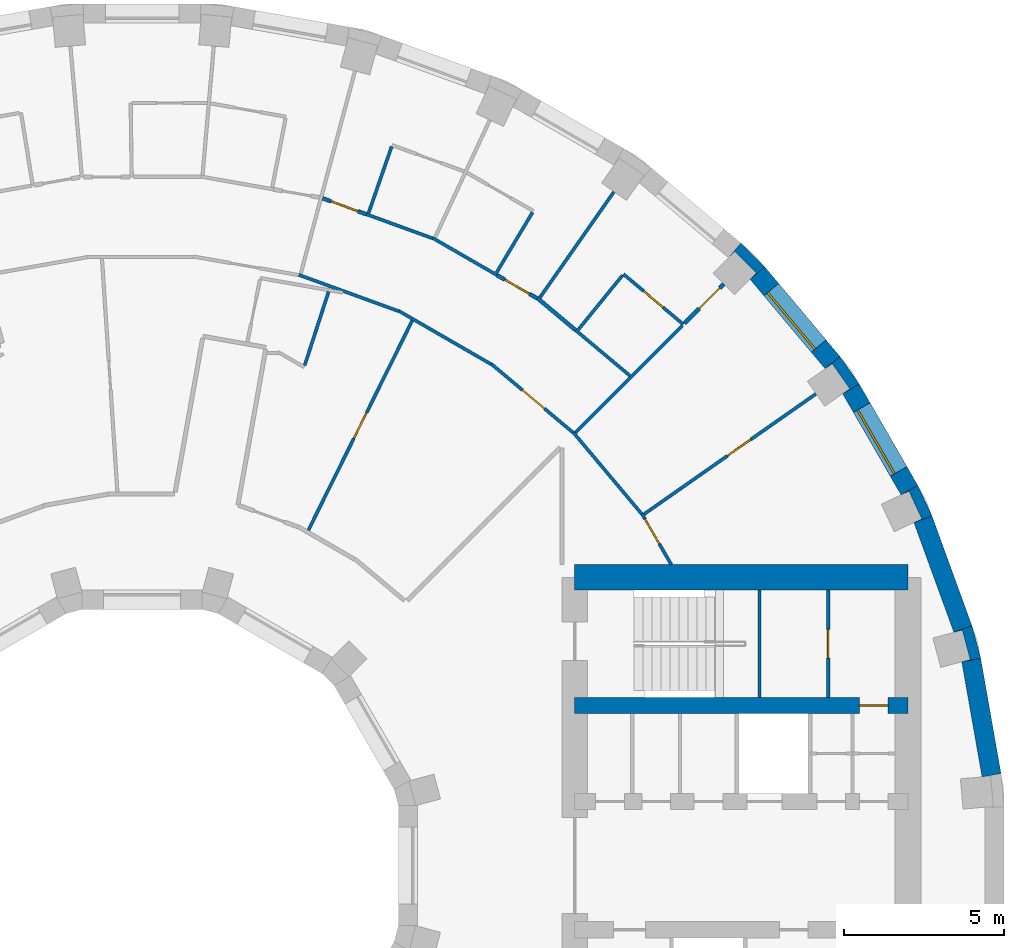
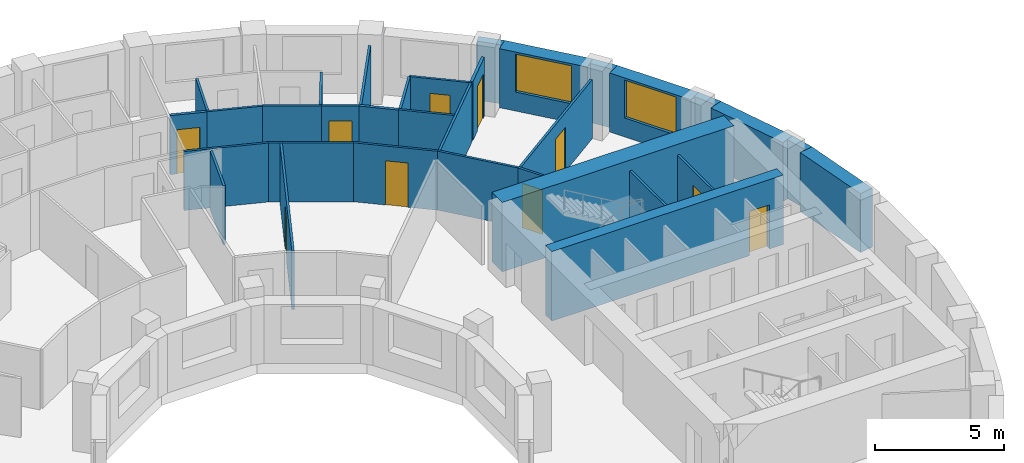
# One storey, part 14 of 16: 33 walls, 10 doors, 2 windows, 12 openings.
"""IFC4 building model written with IfcOpenShell, lengths in metres."""

from ifc_helpers import new_model, si_unit, direction, frame, frame_2d, origin, place, context, subcontext, project, spatial, polyline, rectangle, outline, extrude, material, layer, layer_set, type_object, element, fill, save


model = new_model("IFC4")

# Units and contexts
model_context = context("Model", 3, precision=1e-05, world=origin(), true_north=direction((0.0, 1.0)))
body_context = subcontext(model_context, "Body", "Model", "MODEL_VIEW")
ifc_project = project(units=[si_unit("LENGTHUNIT", "METRE"), si_unit("AREAUNIT", "SQUARE_METRE"), si_unit("VOLUMEUNIT", "CUBIC_METRE"), si_unit("PLANEANGLEUNIT", "RADIAN"), si_unit("MASSUNIT", "GRAM", prefix="KILO")], contexts=[model_context])

# Site, building, storey
site_placement = place(None, origin())
site = spatial("IfcSite", under=ifc_project, at=site_placement, CompositionType="ELEMENT")
building_placement = place(site_placement, origin())
building = spatial("IfcBuilding", under=site, at=building_placement, Name="Saqina Gate Tower", CompositionType="ELEMENT")
storey_placement = place(building_placement, frame((0.0, 0.0, 144.699951171875)))
storey = spatial("IfcBuildingStorey", under=building, at=storey_placement, Name="L41", CompositionType="ELEMENT", Elevation=144.699951171875)

# Walls
ifc_material_1 = material(Name="Brick masonry (buff)", Category="masonry")
wall_type_1 = type_object("IfcWallType", Name="BRICK PIER COPING BUFF", PredefinedType="SOLIDWALL", material=ifc_material_1)
wall_1_placement = place(storey_placement, origin())
element("IfcWall", 1, at=wall_1_placement, inside=storey, type_object=wall_type_1, Name="Pier cap L41 column 2", PredefinedType="SOLIDWALL", context=body_context, shape_type="SweptSolid", body=[
    extrude(outline(polyline([(26.171875, 6.466796875), (25.89892578125, 7.485595703125), (25.335205078125, 7.2802734375), (25.5947265625, 7.349853515625), (25.8408203125, 6.43212890625), (25.5810546875, 6.36279296875), (26.171875, 6.466796875)])), origin(), (0.0, 0.0, 1.0), 2.800048828125),
])
wall_2_placement = place(storey_placement, origin())
element("IfcWall", 2, at=wall_2_placement, inside=storey, type_object=wall_type_1, Name="Pier cap L41 column 3", PredefinedType="SOLIDWALL", context=body_context, shape_type="SweptSolid", body=[
    extrude(outline(polyline([(24.6513671875, 10.913330078125), (24.205810546875, 11.869140625), (23.68603515625, 11.569091796875), (23.9296875, 11.6826171875), (24.331298828125, 10.82177734375), (24.08740234375, 10.7080078125), (24.6513671875, 10.913330078125)])), origin(), (0.0, 0.0, 1.0), 2.800048828125),
])
wall_3_placement = place(storey_placement, origin())
element("IfcWall", 3, at=wall_3_placement, inside=storey, type_object=wall_type_1, Name="Pier cap L41 column 4", PredefinedType="SOLIDWALL", context=body_context, shape_type="SweptSolid", body=[
    extrude(outline(polyline([(21.77685546875, 15.89208984375), (21.317138671875, 15.50634765625), (21.53759765625, 15.66064453125), (22.08251953125, 14.88232421875), (21.862060546875, 14.728271484375), (22.3818359375, 15.0283203125), (21.77685546875, 15.89208984375)])), origin(), (0.0, 0.0, 1.0), 2.800048828125),
])
wall_4_placement = place(storey_placement, origin())
element("IfcWall", 4, at=wall_4_placement, inside=storey, type_object=wall_type_1, Name="Pier cap L41 column 5", PredefinedType="SOLIDWALL", context=body_context, shape_type="SweptSolid", body=[
    extrude(outline(polyline([(19.43212890625, 18.686279296875), (18.686279296875, 19.43212890625), (18.30078125, 18.972412109375), (18.49072265625, 19.16259765625), (19.16259765625, 18.49072265625), (18.972412109375, 18.30078125), (19.43212890625, 18.686279296875)])), origin(), (0.0, 0.0, 1.0), 2.800048828125),
])

# Wall, opening, door
ifc_material_2 = material(Name="Gypsum board on steel studs", Category="steel")
ifc_layer_1 = layer(ifc_material_2, 0.10009765625)
ifc_layer_set_1 = layer_set([ifc_layer_1], Name="CORE PARTITION")
wall_type_2 = type_object("IfcWallType", Name="CORE PARTITION", PredefinedType="PARTITIONING", material=ifc_layer_set_1)
wall_5_placement = place(storey_placement, frame((21.409912109375, 5.25, 0.0), z_axis=(0.0, 0.0, 1.0), x_axis=(0.0, 1.0, 0.0)))
wall_5 = element("IfcWall", 5, at=wall_5_placement, inside=storey, type_object=wall_type_2, Name="L41-CP-E14", PredefinedType="PARTITIONING", context=body_context, shape_type="SweptSolid", body=[
    extrude(rectangle(XDim=3.35009765625, YDim=0.10009765625, at=frame_2d((1.675048828125, 0.0))), origin(), (0.0, 0.0, 1.0), 2.800048828125),
])
opening_1_placement = place(wall_5_placement, frame((1.22509765625, 0.0, 0.0)))
opening_1 = element("IfcOpeningElement", 6, at=opening_1_placement, cuts=wall_5, Name="Opening G12-D100", PredefinedType="OPENING", context=body_context, shape_type="SweptSolid", body=[
    extrude(rectangle(XDim=0.89990234375, YDim=2.10009765625, at=frame_2d((0.449951171875, 1.050048828125))), frame((0.0, 0.06201171875, 0.0), z_axis=(0.0, -1.0, 0.0), x_axis=(1.0, 0.0, 0.0)), (0.0, 0.0, 1.0), 0.1240234375),
])
ifc_material_3 = material(Name="Steel-framed fire door leaf, EI 60", Category="steel")
door_type_1 = type_object("IfcDoorType", Name="SERVICE ROOM DOOR 900", OperationType="SINGLE_SWING_LEFT", PredefinedType="DOOR", material=ifc_material_3)
door_1_placement = place(opening_1_placement, origin())
door_1 = element("IfcDoor", 7, at=door_1_placement, inside=storey, type_object=door_type_1, Name="L41-CD-E11", OperationType="SINGLE_SWING_RIGHT", OverallHeight=2.10009765625, OverallWidth=0.89990234375, PredefinedType="DOOR", context=body_context, shape_type="SweptSolid", body=[
    extrude(rectangle(XDim=0.89990234375, YDim=2.10009765625, at=frame_2d((0.449951171875, 1.050048828125))), frame((0.0, 0.02490234375, 0.0), z_axis=(0.0, -1.0, 0.0), x_axis=(1.0, 0.0, 0.0)), (0.0, 0.0, 1.0), 0.050048828125),
])
fill(opening_1, door_1)

# Wall, opening, window
ifc_material_4 = material(Name="Brick masonry (buff)", Category="masonry")
ifc_layer_2 = layer(ifc_material_4, 0.60009765625)
ifc_layer_set_2 = layer_set([ifc_layer_2], Name="FW-BRICK-BUFF")
wall_type_3 = type_object("IfcWallType", Name="FW-BRICK-BUFF", PredefinedType="SOLIDWALL", material=ifc_layer_set_2)
wall_6_placement = place(storey_placement, frame((23.94580078125, 11.718994140625, 0.0), z_axis=(0.0, 0.0, 1.0), x_axis=(-0.499954196102, 0.866051847062, 0.0)))
wall_6 = element("IfcWall", 8, at=wall_6_placement, inside=storey, type_object=wall_type_3, Name="Facade wall L41 facet 3", PredefinedType="SOLIDWALL", context=body_context, shape_type="SweptSolid", body=[
    extrude(rectangle(XDim=3.647705078125, YDim=0.60009765625, at=frame_2d((1.82373046875, 0.0))), origin(), (0.0, 0.0, 1.0), 2.800048828125),
])
opening_2_placement = place(wall_6_placement, frame((0.673828125, 0.0, 0.89990234375)))
opening_2 = element("IfcOpeningElement", 9, at=opening_2_placement, cuts=wall_6, Name="Opening G12-W01", PredefinedType="OPENING", context=body_context, shape_type="SweptSolid", body=[
    extrude(rectangle(XDim=2.300048828125, YDim=1.800048828125, at=frame_2d((1.14990234375, 0.89990234375))), frame((0.0, 0.31201171875, 0.0), z_axis=(0.0, -1.0, 0.0), x_axis=(1.0, 0.0, 0.0)), (0.0, 0.0, 1.0), 0.6240234375),
])
ifc_material_5 = material(Name="Aluminium glazing", Category="aluminium")
window_type = type_object("IfcWindowType", Name="WN-B", PartitioningType="SINGLE_PANEL", PredefinedType="WINDOW", material=ifc_material_5)
window_1_placement = place(opening_2_placement, origin())
window_1 = element("IfcWindow", 10, at=window_1_placement, inside=storey, type_object=window_type, Name="Window L41 facet 3", OverallHeight=1.800048828125, OverallWidth=2.300048828125, PartitioningType="SINGLE_PANEL", PredefinedType="WINDOW", context=body_context, shape_type="SweptSolid", body=[
    extrude(rectangle(XDim=2.300048828125, YDim=1.800048828125, at=frame_2d((1.14990234375, 0.89990234375))), frame((0.0, 0.179931640625, 0.0), z_axis=(0.0, -1.0, 0.0), x_axis=(1.0, 0.0, 0.0)), (0.0, 0.0, 1.0), 0.06005859375),
])
fill(opening_2, window_1)

wall_7_placement = place(storey_placement, frame((21.547119140625, 15.69921875, 0.0), z_axis=(0.0, 0.0, 1.0), x_axis=(-0.642774476932, 0.766055462616, 0.0)))
wall_7 = element("IfcWall", 11, at=wall_7_placement, inside=storey, type_object=wall_type_3, Name="Facade wall L41 facet 4", PredefinedType="SOLIDWALL", context=body_context, shape_type="SweptSolid", body=[
    extrude(rectangle(XDim=3.647705078125, YDim=0.60009765625, at=frame_2d((1.82373046875, 0.0))), origin(), (0.0, 0.0, 1.0), 2.800048828125),
])
opening_3_placement = place(wall_7_placement, frame((0.673828125, 0.0, 0.89990234375)))
opening_3 = element("IfcOpeningElement", 12, at=opening_3_placement, cuts=wall_7, Name="Opening G12-W02", PredefinedType="OPENING", context=body_context, shape_type="SweptSolid", body=[
    extrude(rectangle(XDim=2.300048828125, YDim=1.800048828125, at=frame_2d((1.14990234375, 0.89990234375))), frame((0.0, 0.31201171875, 0.0), z_axis=(0.0, -1.0, 0.0), x_axis=(1.0, 0.0, 0.0)), (0.0, 0.0, 1.0), 0.6240234375),
])
window_2_placement = place(opening_3_placement, origin())
window_2 = element("IfcWindow", 13, at=window_2_placement, inside=storey, type_object=window_type, Name="Window L41 facet 4", OverallHeight=1.800048828125, OverallWidth=2.300048828125, PartitioningType="SINGLE_PANEL", PredefinedType="WINDOW", context=body_context, shape_type="SweptSolid", body=[
    extrude(rectangle(XDim=2.300048828125, YDim=1.800048828125, at=frame_2d((1.14990234375, 0.89990234375))), frame((0.0, 0.179931640625, 0.0), z_axis=(0.0, -1.0, 0.0), x_axis=(1.0, 0.0, 0.0)), (0.0, 0.0, 1.0), 0.06005859375),
])
fill(opening_3, window_2)

# Walls
ifc_material_6 = material(Name="Glazed ceramic tile", Category="ceramic")
ifc_layer_3 = layer(ifc_material_6, 0.60009765625)
ifc_layer_set_3 = layer_set([ifc_layer_3], Name="FW-TILE")
wall_type_4 = type_object("IfcWallType", Name="FW-TILE", PredefinedType="SOLIDWALL", material=ifc_layer_set_3)
wall_8_placement = place(storey_placement, frame((25.616943359375, 7.3828125, 0.0), z_axis=(0.0, 0.0, 1.0), x_axis=(-0.341990236633, 0.939703505393, 0.0)))
element("IfcWall", 14, at=wall_8_placement, inside=storey, type_object=wall_type_4, Name="Facade wall L41 facet 2", PredefinedType="SOLIDWALL", context=body_context, shape_type="SweptSolid", body=[
    extrude(rectangle(XDim=3.64794921875, YDim=0.60009765625, at=frame_2d((1.823974609375, 0.0))), origin(), (0.0, 0.0, 1.0), 2.800048828125),
])
ifc_material_7 = material(Name="Glazed ceramic tile (dark blue)", Category="ceramic")
ifc_layer_4 = layer(ifc_material_7, 0.60009765625)
ifc_layer_set_4 = layer_set([ifc_layer_4], Name="FW-TILE-CB")
wall_type_5 = type_object("IfcWallType", Name="FW-TILE-CB", PredefinedType="SOLIDWALL", material=ifc_layer_set_4)
wall_9_placement = place(storey_placement, frame((26.510009765625, 2.822265625, 0.0), z_axis=(0.0, 0.0, 1.0), x_axis=(-0.173670796382, 0.984803764455, 0.0)))
element("IfcWall", 15, at=wall_9_placement, inside=storey, type_object=wall_type_5, Name="Facade wall L41 facet 1", PredefinedType="SOLIDWALL", context=body_context, shape_type="SweptSolid", body=[
    extrude(rectangle(XDim=3.64794921875, YDim=0.60009765625, at=frame_2d((1.823974609375, 0.0))), origin(), (0.0, 0.0, 1.0), 2.800048828125),
])

# Wall, opening, door
ifc_material_8 = material(Name="Gypsum board on steel studs, 100 mm", Category="steel")
ifc_layer_5 = layer(ifc_material_8, 0.10009765625)
ifc_layer_set_5 = layer_set([ifc_layer_5], Name="PARTITION 100")
wall_type_6 = type_object("IfcWallType", Name="PARTITION 100", PredefinedType="PARTITIONING", material=ifc_layer_set_5)
wall_10_placement = place(storey_placement, frame((15.5966796875, 10.98291015625, 0.0), z_axis=(0.0, 0.0, 1.0), x_axis=(0.500084239528, -0.865976762607, 0.0)))
wall_10 = element("IfcWall", 16, at=wall_10_placement, inside=storey, type_object=wall_type_6, Name="PARTITION PW3-12", PredefinedType="PARTITIONING", context=body_context, shape_type="SweptSolid", body=[
    extrude(rectangle(XDim=1.830322265625, YDim=0.10009765625, at=frame_2d((0.9150390625, 0.0))), origin(), (0.0, 0.0, 1.0), 2.800048828125),
])
opening_4_placement = place(wall_10_placement, frame((0.1904296875, 0.0, 0.0)))
opening_4 = element("IfcOpeningElement", 17, at=opening_4_placement, cuts=wall_10, Name="Opening G12-D01", PredefinedType="OPENING", context=body_context, shape_type="SweptSolid", body=[
    extrude(rectangle(XDim=0.89990234375, YDim=2.10009765625, at=frame_2d((0.449951171875, 1.050048828125))), frame((0.0, 0.06201171875, 0.0), z_axis=(0.0, -1.0, 0.0), x_axis=(1.0, 0.0, 0.0)), (0.0, 0.0, 1.0), 0.1240234375),
])
ifc_material_9 = material(Name="Timber door leaf, 900 mm", Category="wood")
door_type_2 = type_object("IfcDoorType", Name="DOOR 900 TIMBER", OperationType="SINGLE_SWING_LEFT", PredefinedType="DOOR", material=ifc_material_9)
door_2_placement = place(opening_4_placement, frame((0.89990234375, 0.0, 0.0), z_axis=(0.0, 0.0, 1.0), x_axis=(-1.0, 0.0, 0.0)))
door_2 = element("IfcDoor", 18, at=door_2_placement, inside=storey, type_object=door_type_2, Name="DOOR G12-D01", OperationType="SINGLE_SWING_LEFT", OverallHeight=2.10009765625, OverallWidth=0.89990234375, PredefinedType="DOOR", context=body_context, shape_type="SweptSolid", body=[
    extrude(rectangle(XDim=0.89990234375, YDim=2.10009765625, at=frame_2d((0.449951171875, 1.050048828125))), frame((0.0, 0.02490234375, 0.0), z_axis=(0.0, -1.0, 0.0), x_axis=(1.0, 0.0, 0.0)), (0.0, 0.0, 1.0), 0.050048828125),
])
fill(opening_4, door_2)

# Wall
wall_11_placement = place(storey_placement, frame((13.452392578125, 13.52392578125, 0.0), z_axis=(0.0, 0.0, 1.0), x_axis=(0.642888943472, -0.765959402554, 0.0)))
element("IfcWall", 19, at=wall_11_placement, inside=storey, type_object=wall_type_6, Name="PARTITION PW3-19", PredefinedType="PARTITIONING", context=body_context, shape_type="SweptSolid", body=[
    extrude(rectangle(XDim=3.32470703125, YDim=0.10009765625, at=frame_2d((1.662353515625, 0.0))), origin(), (0.0, 0.0, 1.0), 2.800048828125),
])

# Wall, opening, door
wall_12_placement = place(storey_placement, frame((10.900146484375, 15.654541015625, 0.0), z_axis=(0.0, 0.0, 1.0), x_axis=(0.765959402554, -0.642888943472, 0.0)))
wall_12 = element("IfcWall", 20, at=wall_12_placement, inside=storey, type_object=wall_type_6, Name="PARTITION PW3-29", PredefinedType="PARTITIONING", context=body_context, shape_type="SweptSolid", body=[
    extrude(rectangle(XDim=3.32470703125, YDim=0.10009765625, at=frame_2d((1.662353515625, 0.0))), origin(), (0.0, 0.0, 1.0), 2.800048828125),
])
opening_5_placement = place(wall_12_placement, frame((1.2626953125, 0.0, 0.0)))
opening_5 = element("IfcOpeningElement", 21, at=opening_5_placement, cuts=wall_12, Name="Opening G12-D05", PredefinedType="OPENING", context=body_context, shape_type="SweptSolid", body=[
    extrude(rectangle(XDim=0.89990234375, YDim=2.10009765625, at=frame_2d((0.449951171875, 1.050048828125))), frame((0.0, 0.06201171875, 0.0), z_axis=(0.0, -1.0, 0.0), x_axis=(1.0, 0.0, 0.0)), (0.0, 0.0, 1.0), 0.1240234375),
])
door_3_placement = place(opening_5_placement, frame((0.89990234375, 0.0, 0.0), z_axis=(0.0, 0.0, 1.0), x_axis=(-1.0, 0.0, 0.0)))
door_3 = element("IfcDoor", 22, at=door_3_placement, inside=storey, type_object=door_type_2, Name="DOOR G12-D05", OperationType="SINGLE_SWING_LEFT", OverallHeight=2.10009765625, OverallWidth=0.89990234375, PredefinedType="DOOR", context=body_context, shape_type="SweptSolid", body=[
    extrude(rectangle(XDim=0.89990234375, YDim=2.10009765625, at=frame_2d((0.449951171875, 1.050048828125))), frame((0.0, 0.02490234375, 0.0), z_axis=(0.0, -1.0, 0.0), x_axis=(1.0, 0.0, 0.0)), (0.0, 0.0, 1.0), 0.050048828125),
])
fill(opening_5, door_3)

# Wall
wall_13_placement = place(storey_placement, frame((13.53173828125, 16.708251953125, 0.0), z_axis=(0.0, 0.0, 1.0), x_axis=(0.766038513467, -0.642794676305, 0.0)))
element("IfcWall", 23, at=wall_13_placement, inside=storey, type_object=wall_type_6, Name="PARTITION PW3-30", PredefinedType="PARTITIONING", context=body_context, shape_type="SweptSolid", body=[
    extrude(rectangle(XDim=2.204833984375, YDim=0.10009765625, at=frame_2d((1.1025390625, 0.0))), origin(), (0.0, 0.0, 1.0), 2.800048828125),
])

# Wall, opening, door
wall_14_placement = place(storey_placement, frame((15.02197265625, 18.4599609375, 0.0), z_axis=(0.0, 0.0, 1.0), x_axis=(0.765953139847, -0.642896404997, 0.0)))
wall_14 = element("IfcWall", 24, at=wall_14_placement, inside=storey, type_object=wall_type_6, Name="PARTITION PW3-31", PredefinedType="PARTITIONING", context=body_context, shape_type="SweptSolid", body=[
    extrude(rectangle(XDim=2.440185546875, YDim=0.10009765625, at=frame_2d((1.22021484375, 0.0))), origin(), (0.0, 0.0, 1.0), 2.800048828125),
])
opening_6_placement = place(wall_14_placement, frame((0.820068359375, 0.0, 0.0)))
opening_6 = element("IfcOpeningElement", 25, at=opening_6_placement, cuts=wall_14, Name="Opening G12-D04", PredefinedType="OPENING", context=body_context, shape_type="SweptSolid", body=[
    extrude(rectangle(XDim=0.800048828125, YDim=2.10009765625, at=frame_2d((0.39990234375, 1.050048828125))), frame((0.0, 0.06201171875, 0.0), z_axis=(0.0, -1.0, 0.0), x_axis=(1.0, 0.0, 0.0)), (0.0, 0.0, 1.0), 0.1240234375),
])
ifc_material_10 = material(Name="Timber door leaf, 800 mm", Category="wood")
door_type_3 = type_object("IfcDoorType", Name="DOOR 800 TIMBER", OperationType="SINGLE_SWING_LEFT", PredefinedType="DOOR", material=ifc_material_10)
door_4_placement = place(opening_6_placement, origin())
door_4 = element("IfcDoor", 26, at=door_4_placement, inside=storey, type_object=door_type_3, Name="DOOR G12-D04", OperationType="SINGLE_SWING_LEFT", OverallHeight=2.10009765625, OverallWidth=0.800048828125, PredefinedType="DOOR", context=body_context, shape_type="SweptSolid", body=[
    extrude(rectangle(XDim=0.800048828125, YDim=2.10009765625, at=frame_2d((0.39990234375, 1.050048828125))), frame((0.0, 0.02490234375, 0.0), z_axis=(0.0, -1.0, 0.0), x_axis=(1.0, 0.0, 0.0)), (0.0, 0.0, 1.0), 0.050048828125),
])
fill(opening_6, door_4)

# Walls
wall_15_placement = place(storey_placement, frame((8.01611328125, 17.309326171875, 0.0), z_axis=(0.0, 0.0, 1.0), x_axis=(0.865920199123, -0.500182175564, 0.0)))
element("IfcWall", 27, at=wall_15_placement, inside=storey, type_object=wall_type_6, Name="PARTITION PW3-42", PredefinedType="PARTITIONING", context=body_context, shape_type="SweptSolid", body=[
    extrude(rectangle(XDim=3.324951171875, YDim=0.10009765625, at=frame_2d((1.66259765625, 0.0))), origin(), (0.0, 0.0, 1.0), 2.800048828125),
])
wall_16_placement = place(storey_placement, frame((9.075927734375, 19.58349609375, 0.0), z_axis=(0.0, 0.0, 1.0), x_axis=(0.865841628869, -0.500318172484, 0.0)))
element("IfcWall", 28, at=wall_16_placement, inside=storey, type_object=wall_type_6, Name="PARTITION PW3-43", PredefinedType="PARTITIONING", context=body_context, shape_type="SweptSolid", body=[
    extrude(rectangle(XDim=2.3056640625, YDim=0.10009765625, at=frame_2d((1.15283203125, 0.0))), origin(), (0.0, 0.0, 1.0), 2.800048828125),
])
wall_17_placement = place(storey_placement, frame((4.88818359375, 18.4384765625, 0.0), z_axis=(0.0, 0.0, 1.0), x_axis=(0.939679760884, -0.342055473549, 0.0)))
element("IfcWall", 29, at=wall_17_placement, inside=storey, type_object=wall_type_6, Name="PARTITION PW3-50", PredefinedType="PARTITIONING", context=body_context, shape_type="SweptSolid", body=[
    extrude(rectangle(XDim=3.325439453125, YDim=0.10009765625, at=frame_2d((1.66259765625, 0.0))), origin(), (0.0, 0.0, 1.0), 2.800048828125),
])
wall_18_placement = place(storey_placement, frame((7.000732421875, 20.32861328125, 0.0), z_axis=(0.0, 0.0, 1.0), x_axis=(0.939728749343, -0.341920864613, 0.0)))
element("IfcWall", 30, at=wall_18_placement, inside=storey, type_object=wall_type_6, Name="PARTITION PW3-51", PredefinedType="PARTITIONING", context=body_context, shape_type="SweptSolid", body=[
    extrude(rectangle(XDim=2.204833984375, YDim=0.10009765625, at=frame_2d((1.1025390625, 0.0))), origin(), (0.0, 0.0, 1.0), 2.800048828125),
])

# Wall, opening, door
wall_19_placement = place(storey_placement, frame((15.662841796875, 10.9677734375, 0.0), z_axis=(0.0, 0.0, 1.0), x_axis=(0.8192371786, 0.573454832746, 0.0)))
wall_19 = element("IfcWall", 31, at=wall_19_placement, inside=storey, type_object=wall_type_6, Name="PARTITION PW3-78", PredefinedType="PARTITIONING", context=body_context, shape_type="SweptSolid", body=[
    extrude(rectangle(XDim=6.5439453125, YDim=0.10009765625, at=frame_2d((3.27197265625, 0.0))), origin(), (0.0, 0.0, 1.0), 2.800048828125),
])
opening_7_placement = place(wall_19_placement, frame((3.16455078125, 0.0, 0.0)))
opening_7 = element("IfcOpeningElement", 32, at=opening_7_placement, cuts=wall_19, Name="Opening G12-D02", PredefinedType="OPENING", context=body_context, shape_type="SweptSolid", body=[
    extrude(rectangle(XDim=0.89990234375, YDim=2.10009765625, at=frame_2d((0.449951171875, 1.050048828125))), frame((0.0, 0.06201171875, 0.0), z_axis=(0.0, -1.0, 0.0), x_axis=(1.0, 0.0, 0.0)), (0.0, 0.0, 1.0), 0.1240234375),
])
door_5_placement = place(opening_7_placement, frame((0.89990234375, 0.0, 0.0), z_axis=(0.0, 0.0, 1.0), x_axis=(-1.0, 0.0, 0.0)))
door_5 = element("IfcDoor", 33, at=door_5_placement, inside=storey, type_object=door_type_2, Name="DOOR G12-D02", OperationType="SINGLE_SWING_LEFT", OverallHeight=2.10009765625, OverallWidth=0.89990234375, PredefinedType="DOOR", context=body_context, shape_type="SweptSolid", body=[
    extrude(rectangle(XDim=0.89990234375, YDim=2.10009765625, at=frame_2d((0.449951171875, 1.050048828125))), frame((0.0, 0.02490234375, 0.0), z_axis=(0.0, -1.0, 0.0), x_axis=(1.0, 0.0, 0.0)), (0.0, 0.0, 1.0), 0.050048828125),
])
fill(opening_7, door_5)

# Walls
wall_20_placement = place(storey_placement, frame((13.520263671875, 13.520263671875, 0.0), z_axis=(0.0, 0.0, 1.0), x_axis=(0.707106781187, 0.707106781187, 0.0)))
element("IfcWall", 34, at=wall_20_placement, inside=storey, type_object=wall_type_6, Name="PARTITION PW3-88", PredefinedType="PARTITIONING", context=body_context, shape_type="SweptSolid", body=[
    extrude(rectangle(XDim=4.717041015625, YDim=0.10009765625, at=frame_2d((2.3583984375, 0.0))), origin(), (0.0, 0.0, 1.0), 2.800048828125),
])
wall_21_placement = place(storey_placement, frame((13.609375, 16.724365234375, 0.0), z_axis=(0.0, 0.0, 1.0), x_axis=(0.631272959342, 0.77556073315, 0.0)))
element("IfcWall", 35, at=wall_21_placement, inside=storey, type_object=wall_type_6, Name="PARTITION PW3-96", PredefinedType="PARTITIONING", context=body_context, shape_type="SweptSolid", body=[
    extrude(rectangle(XDim=2.187744140625, YDim=0.10009765625, at=frame_2d((1.09375, 0.0))), origin(), (0.0, 0.0, 1.0), 2.800048828125),
])
wall_22_placement = place(storey_placement, frame((12.412841796875, 17.728271484375, 0.0), z_axis=(0.0, 0.0, 1.0), x_axis=(0.573641530368, 0.819106461113, 0.0)))
element("IfcWall", 36, at=wall_22_placement, inside=storey, type_object=wall_type_6, Name="PARTITION PW3-98", PredefinedType="PARTITIONING", context=body_context, shape_type="SweptSolid", body=[
    extrude(rectangle(XDim=4.023193359375, YDim=0.10009765625, at=frame_2d((2.01171875, 0.0))), origin(), (0.0, 0.0, 1.0), 2.800048828125),
])
wall_23_placement = place(storey_placement, frame((11.06103515625, 18.508544921875, 0.0), z_axis=(0.0, 0.0, 1.0), x_axis=(0.512903306279, 0.85844638645, 0.0)))
element("IfcWall", 37, at=wall_23_placement, inside=storey, type_object=wall_type_6, Name="PARTITION PW3-101", PredefinedType="PARTITIONING", context=body_context, shape_type="SweptSolid", body=[
    extrude(rectangle(XDim=2.188232421875, YDim=0.10009765625, at=frame_2d((1.09423828125, 0.0))), origin(), (0.0, 0.0, 1.0), 2.800048828125),
])

# Wall, opening, door
wall_24_placement = place(storey_placement, frame((5.18896484375, 10.470458984375, 0.0), z_axis=(0.0, 0.0, 1.0), x_axis=(0.444040739055, 0.896006597107, 0.0)))
wall_24 = element("IfcWall", 38, at=wall_24_placement, inside=storey, type_object=wall_type_6, Name="PARTITION PW3-105", PredefinedType="PARTITIONING", context=body_context, shape_type="SweptSolid", body=[
    extrude(rectangle(XDim=7.301025390625, YDim=0.10009765625, at=frame_2d((3.650390625, 0.0))), origin(), (0.0, 0.0, 1.0), 2.800048828125),
])
opening_8_placement = place(wall_24_placement, frame((3.193115234375, 0.0, 0.0)))
opening_8 = element("IfcOpeningElement", 39, at=opening_8_placement, cuts=wall_24, Name="Opening G12-D08", PredefinedType="OPENING", context=body_context, shape_type="SweptSolid", body=[
    extrude(rectangle(XDim=0.89990234375, YDim=2.10009765625, at=frame_2d((0.449951171875, 1.050048828125))), frame((0.0, 0.06201171875, 0.0), z_axis=(0.0, -1.0, 0.0), x_axis=(1.0, 0.0, 0.0)), (0.0, 0.0, 1.0), 0.1240234375),
])
door_6_placement = place(opening_8_placement, origin())
door_6 = element("IfcDoor", 40, at=door_6_placement, inside=storey, type_object=door_type_2, Name="DOOR G12-D08", OperationType="SINGLE_SWING_LEFT", OverallHeight=2.10009765625, OverallWidth=0.89990234375, PredefinedType="DOOR", context=body_context, shape_type="SweptSolid", body=[
    extrude(rectangle(XDim=0.89990234375, YDim=2.10009765625, at=frame_2d((0.449951171875, 1.050048828125))), frame((0.0, 0.02490234375, 0.0), z_axis=(0.0, -1.0, 0.0), x_axis=(1.0, 0.0, 0.0)), (0.0, 0.0, 1.0), 0.050048828125),
])
fill(opening_8, door_6)

# Walls
wall_25_placement = place(storey_placement, frame((7.064453125, 20.359130859375, 0.0), z_axis=(0.0, 0.0, 1.0), x_axis=(0.327788872324, 0.944751001683, 0.0)))
element("IfcWall", 41, at=wall_25_placement, inside=storey, type_object=wall_type_6, Name="PARTITION PW3-110", PredefinedType="PARTITIONING", context=body_context, shape_type="SweptSolid", body=[
    extrude(rectangle(XDim=2.2001953125, YDim=0.10009765625, at=frame_2d((1.10009765625, 0.0))), origin(), (0.0, 0.0, 1.0), 2.800048828125),
])
wall_26_placement = place(storey_placement, frame((5.07177734375, 15.608642578125, 0.0), z_axis=(0.0, 0.0, 1.0), x_axis=(0.30874872516, 0.95114364042, 0.0)))
element("IfcWall", 42, at=wall_26_placement, inside=storey, type_object=wall_type_6, Name="PARTITION PW3-111", PredefinedType="PARTITIONING", context=body_context, shape_type="SweptSolid", body=[
    extrude(rectangle(XDim=2.422119140625, YDim=0.10009765625, at=frame_2d((1.2109375, 0.0))), origin(), (0.0, 0.0, 1.0), 2.800048828125),
])
ifc_material_11 = material(Name="Gypsum board on steel studs, 125 mm, fire rated", Category="steel")
ifc_layer_6 = layer(ifc_material_11, 0.125)
ifc_layer_set_6 = layer_set([ifc_layer_6], Name="PARTITION EI 30 125")
wall_type_7 = type_object("IfcWallType", Name="PARTITION EI 30 125", PredefinedType="PARTITIONING", material=ifc_layer_set_6)
wall_27_placement = place(storey_placement, frame((12.328369140625, 17.7177734375, 0.0), z_axis=(0.0, 0.0, 1.0), x_axis=(0.76611500949, -0.642703502585, 0.0)))
element("IfcWall", 43, at=wall_27_placement, inside=storey, type_object=wall_type_7, Name="PARTITION PW1-14", PredefinedType="PARTITIONING", context=body_context, shape_type="SweptSolid", body=[
    extrude(rectangle(XDim=1.57080078125, YDim=0.125, at=frame_2d((0.785400390625, 0.0))), origin(), (0.0, 0.0, 1.0), 2.800048828125),
])

# Wall, opening, door
wall_28_placement = place(storey_placement, frame((11.072265625, 18.429931640625, 0.0), z_axis=(0.0, 0.0, 1.0), x_axis=(0.866112382925, -0.499849317439, 0.0)))
wall_28 = element("IfcWall", 44, at=wall_28_placement, inside=storey, type_object=wall_type_7, Name="PARTITION PW1-19", PredefinedType="PARTITIONING", context=body_context, shape_type="SweptSolid", body=[
    extrude(rectangle(XDim=1.44384765625, YDim=0.125, at=frame_2d((0.721923828125, 0.0))), origin(), (0.0, 0.0, 1.0), 2.800048828125),
])
opening_9_placement = place(wall_28_placement, frame((0.2783203125, 0.0, 0.0)))
opening_9 = element("IfcOpeningElement", 45, at=opening_9_placement, cuts=wall_28, Name="Opening G12-D06", PredefinedType="OPENING", context=body_context, shape_type="SweptSolid", body=[
    extrude(rectangle(XDim=0.89990234375, YDim=2.10009765625, at=frame_2d((0.449951171875, 1.050048828125))), frame((0.0, 0.074462890625, 0.0), z_axis=(0.0, -1.0, 0.0), x_axis=(1.0, 0.0, 0.0)), (0.0, 0.0, 1.0), 0.14892578125),
])
ifc_material_12 = material(Name="Fire door leaf EI 30, 900 mm")
door_type_4 = type_object("IfcDoorType", Name="DOOR 900 EI 30", OperationType="SINGLE_SWING_LEFT", PredefinedType="DOOR", material=ifc_material_12)
door_7_placement = place(opening_9_placement, frame((0.89990234375, 0.0, 0.0), z_axis=(0.0, 0.0, 1.0), x_axis=(-1.0, 0.0, 0.0)))
door_7 = element("IfcDoor", 46, at=door_7_placement, inside=storey, type_object=door_type_4, Name="DOOR G12-D06", OperationType="SINGLE_SWING_LEFT", OverallHeight=2.10009765625, OverallWidth=0.89990234375, PredefinedType="DOOR", context=body_context, shape_type="SweptSolid", body=[
    extrude(rectangle(XDim=0.89990234375, YDim=2.10009765625, at=frame_2d((0.449951171875, 1.050048828125))), frame((0.0, 0.02490234375, 0.0), z_axis=(0.0, -1.0, 0.0), x_axis=(1.0, 0.0, 0.0)), (0.0, 0.0, 1.0), 0.050048828125),
])
fill(opening_9, door_7)

wall_29_placement = place(storey_placement, frame((5.633056640625, 20.826904296875, 0.0), z_axis=(0.0, 0.0, 1.0), x_axis=(0.939292989356, -0.343116132159, 0.0)))
wall_29 = element("IfcWall", 47, at=wall_29_placement, inside=storey, type_object=wall_type_7, Name="PARTITION PW1-20", PredefinedType="PARTITIONING", context=body_context, shape_type="SweptSolid", body=[
    extrude(rectangle(XDim=1.455810546875, YDim=0.125, at=frame_2d((0.72802734375, 0.0))), origin(), (0.0, 0.0, 1.0), 2.800048828125),
])
opening_10_placement = place(wall_29_placement, frame((0.27783203125, 0.0, 0.0)))
opening_10 = element("IfcOpeningElement", 48, at=opening_10_placement, cuts=wall_29, Name="Opening G12-D11", PredefinedType="OPENING", context=body_context, shape_type="SweptSolid", body=[
    extrude(rectangle(XDim=0.89990234375, YDim=2.10009765625, at=frame_2d((0.449951171875, 1.050048828125))), frame((0.0, 0.074462890625, 0.0), z_axis=(0.0, -1.0, 0.0), x_axis=(1.0, 0.0, 0.0)), (0.0, 0.0, 1.0), 0.14892578125),
])
door_8_placement = place(opening_10_placement, frame((0.89990234375, 0.0, 0.0), z_axis=(0.0, 0.0, 1.0), x_axis=(-1.0, 0.0, 0.0)))
door_8 = element("IfcDoor", 49, at=door_8_placement, inside=storey, type_object=door_type_4, Name="DOOR G12-D11", OperationType="SINGLE_SWING_RIGHT", OverallHeight=2.10009765625, OverallWidth=0.89990234375, PredefinedType="DOOR", context=body_context, shape_type="SweptSolid", body=[
    extrude(rectangle(XDim=0.89990234375, YDim=2.10009765625, at=frame_2d((0.449951171875, 1.050048828125))), frame((0.0, 0.02490234375, 0.0), z_axis=(0.0, -1.0, 0.0), x_axis=(1.0, 0.0, 0.0)), (0.0, 0.0, 1.0), 0.050048828125),
])
fill(opening_10, door_8)

wall_30_placement = place(storey_placement, frame((16.92626953125, 16.92626953125, 0.0), z_axis=(0.0, 0.0, 1.0), x_axis=(0.707106781187, 0.707106781187, 0.0)))
wall_30 = element("IfcWall", 50, at=wall_30_placement, inside=storey, type_object=wall_type_7, Name="PARTITION PW1-50", PredefinedType="PARTITIONING", context=body_context, shape_type="SweptSolid", body=[
    extrude(rectangle(XDim=1.727783203125, YDim=0.125, at=frame_2d((0.86376953125, 0.0))), origin(), (0.0, 0.0, 1.0), 2.800048828125),
])
opening_11_placement = place(wall_30_placement, frame((0.655029296875, 0.0, 0.0)))
opening_11 = element("IfcOpeningElement", 51, at=opening_11_placement, cuts=wall_30, Name="Opening G12-D03", PredefinedType="OPENING", context=body_context, shape_type="SweptSolid", body=[
    extrude(rectangle(XDim=0.89990234375, YDim=2.10009765625, at=frame_2d((0.449951171875, 1.050048828125))), frame((0.0, 0.074462890625, 0.0), z_axis=(0.0, -1.0, 0.0), x_axis=(1.0, 0.0, 0.0)), (0.0, 0.0, 1.0), 0.14892578125),
])
door_9_placement = place(opening_11_placement, frame((0.89990234375, 0.0, 0.0), z_axis=(0.0, 0.0, 1.0), x_axis=(-1.0, 0.0, 0.0)))
door_9 = element("IfcDoor", 52, at=door_9_placement, inside=storey, type_object=door_type_4, Name="DOOR G12-D03", OperationType="SINGLE_SWING_LEFT", OverallHeight=2.10009765625, OverallWidth=0.89990234375, PredefinedType="DOOR", context=body_context, shape_type="SweptSolid", body=[
    extrude(rectangle(XDim=0.89990234375, YDim=2.10009765625, at=frame_2d((0.449951171875, 1.050048828125))), frame((0.0, 0.02490234375, 0.0), z_axis=(0.0, -1.0, 0.0), x_axis=(1.0, 0.0, 0.0)), (0.0, 0.0, 1.0), 0.050048828125),
])
fill(opening_11, door_9)

# Wall
ifc_material_13 = material(Name="Autoclaved aerated concrete block", Category="concrete")
ifc_layer_7 = layer(ifc_material_13, 0.10009765625)
ifc_layer_set_7 = layer_set([ifc_layer_7], Name="STAIR ENCLOSURE WALL")
wall_type_8 = type_object("IfcWallType", Name="STAIR ENCLOSURE WALL", PredefinedType="PARTITIONING", material=ifc_layer_set_7)
wall_31_placement = place(storey_placement, frame((19.27001953125, 5.25, 0.0), z_axis=(0.0, 0.0, 1.0), x_axis=(0.0, 1.0, 0.0)))
element("IfcWall", 53, at=wall_31_placement, inside=storey, type_object=wall_type_8, Name="L41-CP-E13", PredefinedType="PARTITIONING", context=body_context, shape_type="SweptSolid", body=[
    extrude(rectangle(XDim=3.35009765625, YDim=0.10009765625, at=frame_2d((1.675048828125, 0.0))), origin(), (0.0, 0.0, 1.0), 2.800048828125),
])

# Wall, opening, door
ifc_material_14 = material(Name="Concrete C70/85", Category="concrete")
ifc_layer_8 = layer(ifc_material_14, 0.5)
ifc_layer_set_8 = layer_set([ifc_layer_8], Name="Concrete C70/85")
wall_type_9 = type_object("IfcWallType", Name="STR-CORE WALL-B-I", PredefinedType="SHEAR", material=ifc_layer_set_8)
wall_32_placement = place(storey_placement, frame((13.5, 5.0, 0.0), z_axis=(0.0, 0.0, 1.0), x_axis=(1.0, 0.0, 0.0)))
wall_32 = element("IfcWall", 54, at=wall_32_placement, inside=storey, type_object=wall_type_9, Name="CORE WALL L41 E-X1", PredefinedType="SHEAR", context=body_context, shape_type="SweptSolid", body=[
    extrude(rectangle(XDim=10.39990234375, YDim=0.5, at=frame_2d((5.199951171875, 0.0))), origin(), (0.0, 0.0, 1.0), 3.300048828125),
])
opening_12_placement = place(wall_32_placement, frame((8.885009765625, 0.0, 0.0)))
opening_12 = element("IfcOpeningElement", 55, at=opening_12_placement, cuts=wall_32, Name="Opening G12-D101", PredefinedType="OPENING", context=body_context, shape_type="SweptSolid", body=[
    extrude(rectangle(XDim=0.89990234375, YDim=2.10009765625, at=frame_2d((0.449951171875, 1.050048828125))), frame((0.0, 0.261962890625, 0.0), z_axis=(0.0, -1.0, 0.0), x_axis=(1.0, 0.0, 0.0)), (0.0, 0.0, 1.0), 0.52392578125),
])
door_10_placement = place(opening_12_placement, origin())
door_10 = element("IfcDoor", 56, at=door_10_placement, inside=storey, type_object=door_type_1, Name="L41-CD-E12", OperationType="SINGLE_SWING_RIGHT", OverallHeight=2.10009765625, OverallWidth=0.89990234375, PredefinedType="DOOR", context=body_context, shape_type="SweptSolid", body=[
    extrude(rectangle(XDim=0.89990234375, YDim=2.10009765625, at=frame_2d((0.449951171875, 1.050048828125))), frame((0.0, 0.02490234375, 0.0), z_axis=(0.0, -1.0, 0.0), x_axis=(1.0, 0.0, 0.0)), (0.0, 0.0, 1.0), 0.050048828125),
])
fill(opening_12, door_10)

# Wall
ifc_material_15 = material(Name="Concrete C70/85", Category="concrete")
ifc_layer_9 = layer(ifc_material_15, 0.800048828125)
ifc_layer_set_9 = layer_set([ifc_layer_9], Name="Concrete C70/85")
wall_type_10 = type_object("IfcWallType", Name="STR-CORE WALL-B-O", PredefinedType="SHEAR", material=ifc_layer_set_9)
wall_33_placement = place(storey_placement, frame((13.5, 9.0, 0.0), z_axis=(0.0, 0.0, 1.0), x_axis=(1.0, 0.0, 0.0)))
element("IfcWall", 57, at=wall_33_placement, inside=storey, type_object=wall_type_10, Name="CORE WALL L41 E-NE", PredefinedType="SHEAR", context=body_context, shape_type="SweptSolid", body=[
    extrude(rectangle(XDim=10.39990234375, YDim=0.800048828125, at=frame_2d((5.199951171875, 0.0))), origin(), (0.0, 0.0, 1.0), 3.300048828125),
])

save(model, "model.ifc")
